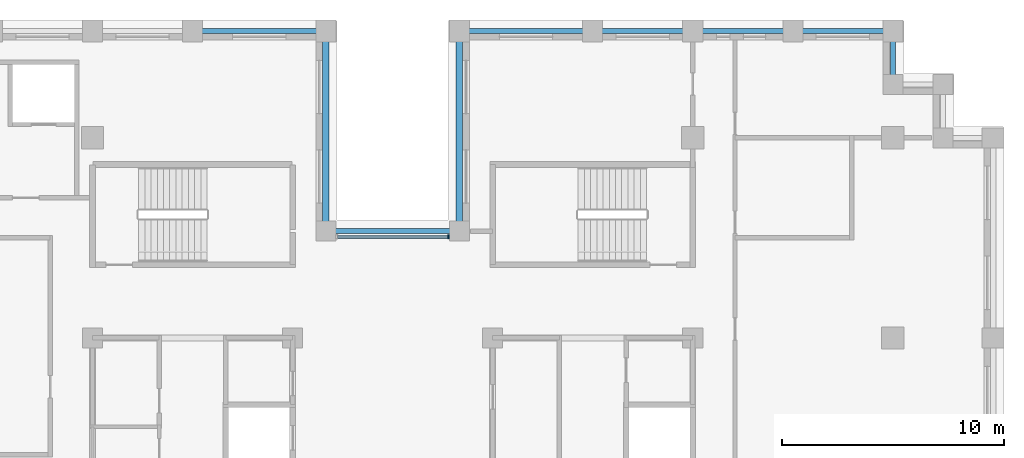
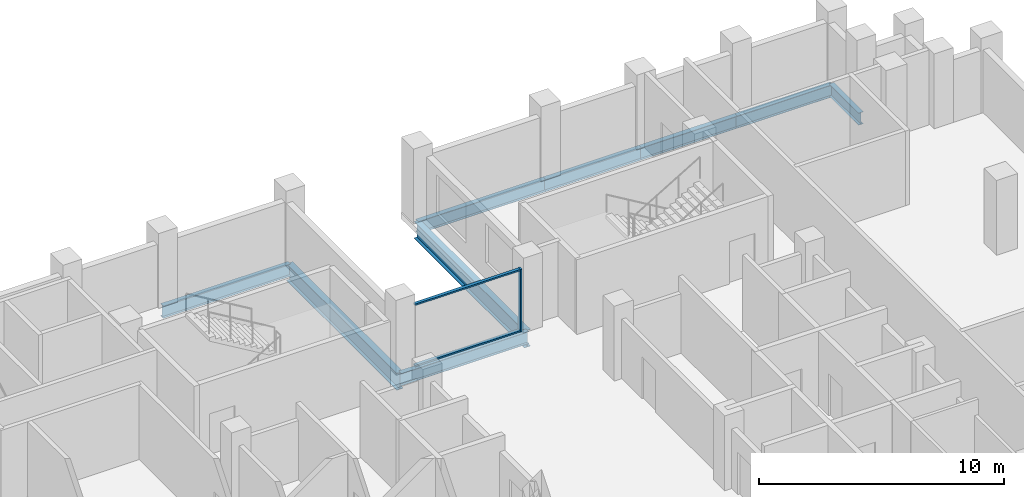
# One storey, part 4 of 15: 9 beams, 3 members, 1 element without a shape of its own.
"""IFC4 building model written with IfcOpenShell, lengths in metres."""

import ifcopenshell
import ifcopenshell.guid

model = None  # the IFC model being written
_history = None  # IfcOwnerHistory: only IFC2X3 demands one
_inside = {}  # id of a spatial element -> (the spatial element, [elements in it])
_under = {}  # id of a project, library or spatial element -> (it, [spatial elements below it])
_declared = {}  # id of a project -> (the project, [libraries it declares])
_typed = {}  # id of a type object -> (the type object, [elements of that type])
_made_of = {}  # id of a material, layer set ... -> (it, [elements and type objects made of it])


def new_model(schema):
    """Start an empty IFC model of exactly this schema.

    Asked for "IFC4X3", IfcOpenShell would pick the latest addendum, in which some entities
    have other attributes; the version numbers below select the first issue.
    IFC2X3 requires an IfcOwnerHistory on every rooted entity: one is made here for all.
    """
    global model, _history
    if schema == "IFC4X3":
        model = ifcopenshell.file(schema_version=(4, 3, 0, 0))
    else:
        model = ifcopenshell.file(schema=schema)
    _inside.clear()
    _under.clear()
    _declared.clear()
    _typed.clear()
    _made_of.clear()
    _history = None
    if model.schema == "IFC2X3":
        org = make("IfcOrganization", Name="unknown")
        user = make(
            "IfcPersonAndOrganization",
            ThePerson=make("IfcPerson", FamilyName="unknown"),
            TheOrganization=org,
        )
        app = make(
            "IfcApplication",
            ApplicationDeveloper=org,
            Version="unknown",
            ApplicationFullName="unknown",
            ApplicationIdentifier="unknown",
        )
        _history = make(
            "IfcOwnerHistory",
            OwningUser=user,
            OwningApplication=app,
            ChangeAction="ADDED",
            CreationDate=0,
        )
    return model


def make(cls, **values):
    """One entity of the class cls with the attributes given. An attribute that is None is left unset."""
    return model.create_entity(
        cls, **{name: value for name, value in values.items() if value is not None}
    )


def rooted(cls, **values):
    """An entity with a GlobalId (a new one), such as an element, a storey or a relation."""
    return make(cls, GlobalId=ifcopenshell.guid.new(), OwnerHistory=_history, **values)


def si_unit(unit_type, name, prefix=None):
    """IfcSIUnit, for example si_unit("LENGTHUNIT", "METRE", prefix="MILLI")."""
    return make("IfcSIUnit", UnitType=unit_type, Prefix=prefix, Name=name)


def assignment(units):
    """IfcUnitAssignment: the units of a project."""
    return None if units is None else make("IfcUnitAssignment", Units=units)


def point(xyz):
    """IfcCartesianPoint."""
    return None if xyz is None else make("IfcCartesianPoint", Coordinates=xyz)


def direction(xyz):
    """IfcDirection."""
    return None if xyz is None else make("IfcDirection", DirectionRatios=xyz)


def frame(location, z_axis=None, x_axis=None):
    """IfcAxis2Placement3D, a coordinate frame: its origin and axes. An axis left out is left unset."""
    return make(
        "IfcAxis2Placement3D",
        Location=point(location),
        Axis=direction(z_axis),
        RefDirection=direction(x_axis),
    )


def frame_2d(location, x_axis=None):
    """IfcAxis2Placement2D, a coordinate frame in the plane: its origin and x axis."""
    return make(
        "IfcAxis2Placement2D", Location=point(location), RefDirection=direction(x_axis)
    )


def origin():
    """The frame at (0, 0, 0) with its axes left unset."""
    return frame((0.0, 0.0, 0.0))


def origin_2d():
    """The frame at (0, 0) in the plane with its x axis left unset."""
    return frame_2d((0.0, 0.0))


def place(relative_to, where):
    """IfcLocalPlacement: puts the frame where relative to a parent placement (None: the world)."""
    return make(
        "IfcLocalPlacement", PlacementRelTo=relative_to, RelativePlacement=where
    )


def context(
    kind, dimensions, precision=None, world=None, true_north=None, identifier=None
):
    """IfcGeometricRepresentationContext, for example the 3D "Model" context."""
    return make(
        "IfcGeometricRepresentationContext",
        ContextIdentifier=identifier,
        ContextType=kind,
        CoordinateSpaceDimension=dimensions,
        Precision=precision,
        WorldCoordinateSystem=world,
        TrueNorth=true_north,
    )


def subcontext(parent, identifier, kind, view, scale=None):
    """IfcGeometricRepresentationSubContext, for example "Body" below "Model"."""
    return make(
        "IfcGeometricRepresentationSubContext",
        ContextIdentifier=identifier,
        ContextType=kind,
        ParentContext=parent,
        TargetScale=scale,
        TargetView=view,
    )


def project(units=None, contexts=None):
    """IfcProject with its units and contexts."""
    return rooted(
        "IfcProject",
        Name="project",
        RepresentationContexts=contexts,
        UnitsInContext=assignment(units),
    )


def spatial(cls, under=None, at=None, **own):
    """A site, building, storey or space (cls), placed at a placement, below another one or the project."""
    s = rooted(cls, ObjectPlacement=at, **own)
    if under is not None:
        _under.setdefault(under.id(), (under, []))[1].append(s)
    return s


def profile(cls, at=None, kind="AREA", **sizes):
    """A parametric profile (cls). Its sizes go by their IFC names, for example OverallWidth=200.0."""
    return make(cls, ProfileType=kind, Position=at, **sizes)


def rectangle(**sizes):
    """IfcRectangleProfileDef."""
    return profile("IfcRectangleProfileDef", **sizes)


def i_section(**sizes):
    """IfcIShapeProfileDef."""
    return profile("IfcIShapeProfileDef", **sizes)


def extrude(swept, where, along, depth):
    """IfcExtrudedAreaSolid: the profile swept, set in the frame where, extruded along a direction by depth."""
    return make(
        "IfcExtrudedAreaSolid",
        SweptArea=swept,
        Position=where,
        ExtrudedDirection=direction(along),
        Depth=depth,
    )


def shape(context_of_items, identifier, shape_type, items):
    """IfcShapeRepresentation: the items that make up one representation, for example the "Body"."""
    return make(
        "IfcShapeRepresentation",
        ContextOfItems=context_of_items,
        RepresentationIdentifier=identifier,
        RepresentationType=shape_type,
        Items=items,
    )


def material(Name=None, Category=None):
    """IfcMaterial."""
    return make("IfcMaterial", Name=Name, Category=Category)


def layer(
    of_material, thickness, ventilated=None, Name=None, Category=None, Priority=None
):
    """IfcMaterialLayer: one layer of a wall or slab, of a material (None: an air gap)."""
    return make(
        "IfcMaterialLayer",
        Material=of_material,
        LayerThickness=thickness,
        IsVentilated=ventilated,
        Name=Name,
        Category=Category,
        Priority=Priority,
    )


def layer_set(layers, Name=None):
    """IfcMaterialLayerSet."""
    return make("IfcMaterialLayerSet", MaterialLayers=layers, LayerSetName=Name)


def material_profile(
    of_material, cross_section, Name=None, Category=None, Priority=None
):
    """IfcMaterialProfile: a cross section and its material."""
    return make(
        "IfcMaterialProfile",
        Name=Name,
        Material=of_material,
        Profile=cross_section,
        Priority=Priority,
        Category=Category,
    )


def profile_set(profiles, Name=None, composite=None):
    """IfcMaterialProfileSet."""
    return make(
        "IfcMaterialProfileSet",
        Name=Name,
        MaterialProfiles=profiles,
        CompositeProfile=composite,
    )


def made_of(thing, what):
    """Note that an element or type object is made of a material, layer set ...; save() writes the relation."""
    if what is not None:
        _made_of.setdefault(what.id(), (what, []))[1].append(thing)
    return thing


def type_object(cls, material=None, **own):
    """A type object (cls), such as IfcWallType, which elements share."""
    return made_of(rooted(cls, **own), material)


def element(
    cls,
    number,
    at=None,
    inside=None,
    cuts=None,
    type_object=None,
    material=None,
    context=None,
    identifier="Body",
    shape_type=None,
    held_by="IfcProductDefinitionShape",
    body=None,
    shapes=None,
    **own,
):
    """One element of the class cls, such as IfcWall. Its Tag is "e" and its number.

    at: its placement. inside: the storey or other place that contains it. cuts: it is an
    opening in that element (IfcRelVoidsElement). A single representation is given by context,
    identifier, shape_type and body (its items); several are given by shapes. held_by: the class
    of the entity that holds the representations. save() writes the other relations.
    """
    e = rooted(cls, Tag="e%d" % number, ObjectPlacement=at, **own)
    if body is not None:
        shapes = [shape(context, identifier, shape_type, body)]
    if shapes is not None:
        e.Representation = make(held_by, Representations=shapes)
    if inside is not None:
        _inside.setdefault(inside.id(), (inside, []))[1].append(e)
    if cuts is not None:
        rooted(
            "IfcRelVoidsElement", RelatingBuildingElement=cuts, RelatedOpeningElement=e
        )
    if type_object is not None:
        _typed.setdefault(type_object.id(), (type_object, []))[1].append(e)
    return made_of(e, material)


def aggregate(whole, parts):
    """IfcRelAggregates: a whole, such as a stair, and the parts it consists of."""
    return rooted("IfcRelAggregates", RelatingObject=whole, RelatedObjects=parts)


def save(model, path):
    """Write the relations noted so far, then the file.

    IfcRelAggregates (storeys below a building ...), IfcRelContainedInSpatialStructure (elements
    in a storey), IfcRelDefinesByType, IfcRelAssociatesMaterial and IfcRelDeclares: one each for
    every whole, place, type object, material and project.
    """
    for whole, parts in _under.values():
        aggregate(whole, parts)
    for where, things in _inside.values():
        rooted(
            "IfcRelContainedInSpatialStructure",
            RelatedElements=things,
            RelatingStructure=where,
        )
    for kind, things in _typed.values():
        rooted("IfcRelDefinesByType", RelatedObjects=things, RelatingType=kind)
    for what, things in _made_of.values():
        rooted("IfcRelAssociatesMaterial", RelatedObjects=things, RelatingMaterial=what)
    for by, libraries in _declared.values():
        rooted("IfcRelDeclares", RelatingContext=by, RelatedDefinitions=libraries)
    model.write(path)


model = new_model("IFC4")

# Units and contexts
model_context = context("Model", 3, precision=1e-05, world=origin(), true_north=direction((0.0, 1.0)))
body_context = subcontext(model_context, "Body", "Model", "MODEL_VIEW")
ifc_project = project(units=[si_unit("LENGTHUNIT", "METRE"), si_unit("AREAUNIT", "SQUARE_METRE"), si_unit("VOLUMEUNIT", "CUBIC_METRE"), si_unit("PLANEANGLEUNIT", "RADIAN"), si_unit("MASSUNIT", "GRAM", prefix="KILO")], contexts=[model_context])

# Site, building, storey
site_placement = place(None, origin())
site = spatial("IfcSite", under=ifc_project, at=site_placement, CompositionType="ELEMENT")
building_placement = place(site_placement, origin())
building = spatial("IfcBuilding", under=site, at=building_placement, Name="Corbelhall Arena Tower", CompositionType="ELEMENT")
storey_placement = place(building_placement, frame((0.0, 0.0, 216.0)))
storey = spatial("IfcBuildingStorey", under=building, at=storey_placement, Name="L45", CompositionType="ELEMENT", Elevation=216.0)

# Curtain wall, members
ifc_material_1 = material(Name="Aluminium black anodised", Category="aluminium")
ifc_layer = layer(ifc_material_1, 0.199951171875)
ifc_layer_set = layer_set([ifc_layer], Name="EV-CW1 Slot back wall")
curtain_wall_type = type_object("IfcCurtainWallType", Name="EV-CW1 Slot back wall", PredefinedType="NOTDEFINED", material=ifc_layer_set)
curtain_wall_placement = place(storey_placement, origin())
curtain_wall = element("IfcCurtainWall", 1, at=curtain_wall_placement, inside=storey, type_object=curtain_wall_type, Name="Curtain wall CW1", PredefinedType="NOTDEFINED")
ifc_material_profile_1 = material_profile(ifc_material_1, rectangle(XDim=0.199951171875, YDim=0.074951171875, at=origin_2d()))
ifc_profile_set_1 = profile_set([ifc_material_profile_1], Name="Aluminium black anodised")
member_type_1 = type_object("IfcMemberType", Name="EV-CW1-MULLION", PredefinedType="MULLION", material=ifc_profile_set_1)
member_1_placement = place(storey_placement, frame((2.512451171875, 13.550048828125, 0.0), z_axis=(0.0, 0.0, 1.0), x_axis=(0.0, -1.0, 0.0)))
member_1 = element("IfcMember", 2, at=member_1_placement, type_object=member_type_1, Name="CW1 mullion 1", PredefinedType="MULLION", context=body_context, shape_type="SweptSolid", body=[
    extrude(rectangle(XDim=0.199951171875, YDim=0.074951171875, at=origin_2d()), origin(), (0.0, 0.0, 1.0), 3.1201171875),
])
ifc_material_profile_2 = material_profile(ifc_material_1, rectangle(XDim=0.14990234375, YDim=0.074951171875, at=origin_2d()))
ifc_profile_set_2 = profile_set([ifc_material_profile_2], Name="Aluminium black anodised")
member_type_2 = type_object("IfcMemberType", Name="EV-CW1-TRANSOM", PredefinedType="USERDEFINED", material=ifc_profile_set_2)
member_2_placement = place(storey_placement, frame((2.47509765625, 13.550048828125, 0.03759765625), z_axis=(-1.0, 0.0, 0.0), x_axis=(0.0, -1.0, 0.0)))
member_2 = element("IfcMember", 3, at=member_2_placement, type_object=member_type_2, Name="CW1 transom 1.1", ObjectType="transom", PredefinedType="USERDEFINED", context=body_context, shape_type="SweptSolid", body=[
    extrude(rectangle(XDim=0.14990234375, YDim=0.074951171875, at=origin_2d()), origin(), (0.0, 0.0, 1.0), 4.9501953125),
])
member_3_placement = place(storey_placement, frame((2.47509765625, 13.550048828125, 3.08251953125), z_axis=(-1.0, 0.0, 0.0), x_axis=(0.0, -1.0, 0.0)))
member_3 = element("IfcMember", 4, at=member_3_placement, type_object=member_type_2, Name="CW1 transom 1.2", ObjectType="transom", PredefinedType="USERDEFINED", context=body_context, shape_type="SweptSolid", body=[
    extrude(rectangle(XDim=0.14990234375, YDim=0.074951171875, at=origin_2d()), origin(), (0.0, 0.0, 1.0), 4.9501953125),
])
aggregate(curtain_wall, [member_1, member_2, member_3])

# Beams
ifc_material_2 = material(Name="Steel ASTM A992 Gr50", Category="steel")
ifc_material_profile_3 = material_profile(ifc_material_2, i_section(OverallWidth=0.228271484375, OverallDepth=0.607177734375, WebThickness=0.01123046875, FlangeThickness=0.017333984375, at=origin_2d()))
ifc_profile_set_3 = profile_set([ifc_material_profile_3], Name="Steel ASTM A992 Gr50")
beam_type_1 = type_object("IfcBeamType", Name="ST-SPANDREL-W24x76", PredefinedType="SPANDREL", material=ifc_profile_set_3)
beam_1_placement = place(storey_placement, frame((3.0, 22.800048828125, -0.58349609375), z_axis=(1.0, 0.0, 0.0), x_axis=(0.0, 1.0, 0.0)))
element("IfcBeam", 5, at=beam_1_placement, inside=storey, type_object=beam_type_1, Name="Beam SP 13", PredefinedType="SPANDREL", context=body_context, shape_type="SweptSolid", body=[
    extrude(i_section(OverallWidth=0.228271484375, OverallDepth=0.607177734375, WebThickness=0.01123046875, FlangeThickness=0.017333984375, at=origin_2d()), origin(), (0.0, 0.0, 1.0), 6.0),
])
for number, where, z_axis, x_axis, name in (
    (6, (9.0, 22.800048828125, -0.58349609375), (1.0, 0.0, 0.0), (0.0, 1.0, 0.0), "Beam SP 14"),
    (7, (13.5, 22.800048828125, -0.58349609375), (1.0, 0.0, 0.0), (0.0, 1.0, 0.0), "Beam SP 15"),
    (8, (18.0, 22.800048828125, -0.58349609375), (1.0, 0.0, 0.0), (0.0, 1.0, 0.0), "Beam SP 16"),
):
    element("IfcBeam", number, at=place(storey_placement, frame(where, z_axis=z_axis, x_axis=x_axis)), inside=storey, type_object=beam_type_1, Name=name, PredefinedType="SPANDREL", context=body_context, shape_type="SweptSolid", body=[
        extrude(i_section(OverallWidth=0.228271484375, OverallDepth=0.607177734375, WebThickness=0.01123046875, FlangeThickness=0.017333984375, at=origin_2d()), origin(), (0.0, 0.0, 1.0), 4.5),
    ])
beam_2_placement = place(storey_placement, frame((22.5, 22.800048828125, -0.58349609375), z_axis=(0.0, -1.0, 0.0), x_axis=(1.0, 0.0, 0.0)))
element("IfcBeam", 9, at=beam_2_placement, inside=storey, type_object=beam_type_1, Name="Beam SP 17", PredefinedType="SPANDREL", context=body_context, shape_type="SweptSolid", body=[
    extrude(i_section(OverallWidth=0.228271484375, OverallDepth=0.607177734375, WebThickness=0.01123046875, FlangeThickness=0.017333984375, at=origin_2d()), origin(), (0.0, 0.0, 1.0), 2.400146484375),
])
for number, where, z_axis, x_axis, name in (
    (10, (-9.0, 22.800048828125, -0.58349609375), (1.0, 0.0, 0.0), (0.0, 1.0, 0.0), "Beam SP 19"),
    (11, (-3.0, 13.800048828125, -0.58349609375), (1.0, 0.0, 0.0), (0.0, 1.0, 0.0), "Beam SP 36"),
):
    element("IfcBeam", number, at=place(storey_placement, frame(where, z_axis=z_axis, x_axis=x_axis)), inside=storey, type_object=beam_type_1, Name=name, PredefinedType="SPANDREL", context=body_context, shape_type="SweptSolid", body=[
        extrude(i_section(OverallWidth=0.228271484375, OverallDepth=0.607177734375, WebThickness=0.01123046875, FlangeThickness=0.017333984375, at=origin_2d()), origin(), (0.0, 0.0, 1.0), 6.0),
    ])
ifc_material_profile_4 = material_profile(ifc_material_2, i_section(OverallWidth=0.2919921875, OverallDepth=0.845703125, WebThickness=0.015380859375, FlangeThickness=0.0244140625, at=origin_2d()))
ifc_profile_set_4 = profile_set([ifc_material_profile_4], Name="Steel ASTM A992 Gr50")
beam_type_2 = type_object("IfcBeamType", Name="ST-SPANDREL-W33x141", PredefinedType="SPANDREL", material=ifc_profile_set_4)
for number, where, z_axis, x_axis, name in (
    (12, (-3.0, 22.800048828125, -0.702880859375), (0.0, -1.0, 0.0), (1.0, 0.0, 0.0), "Beam SP 18"),
    (13, (3.0, 13.800048828125, -0.702880859375), (0.0, 1.0, 0.0), (-1.0, 0.0, 0.0), "Beam SP 35"),
):
    element("IfcBeam", number, at=place(storey_placement, frame(where, z_axis=z_axis, x_axis=x_axis)), inside=storey, type_object=beam_type_2, Name=name, PredefinedType="SPANDREL", context=body_context, shape_type="SweptSolid", body=[
        extrude(i_section(OverallWidth=0.2919921875, OverallDepth=0.845703125, WebThickness=0.015380859375, FlangeThickness=0.0244140625, at=origin_2d()), origin(), (0.0, 0.0, 1.0), 9.0),
    ])

save(model, "model.ifc")
